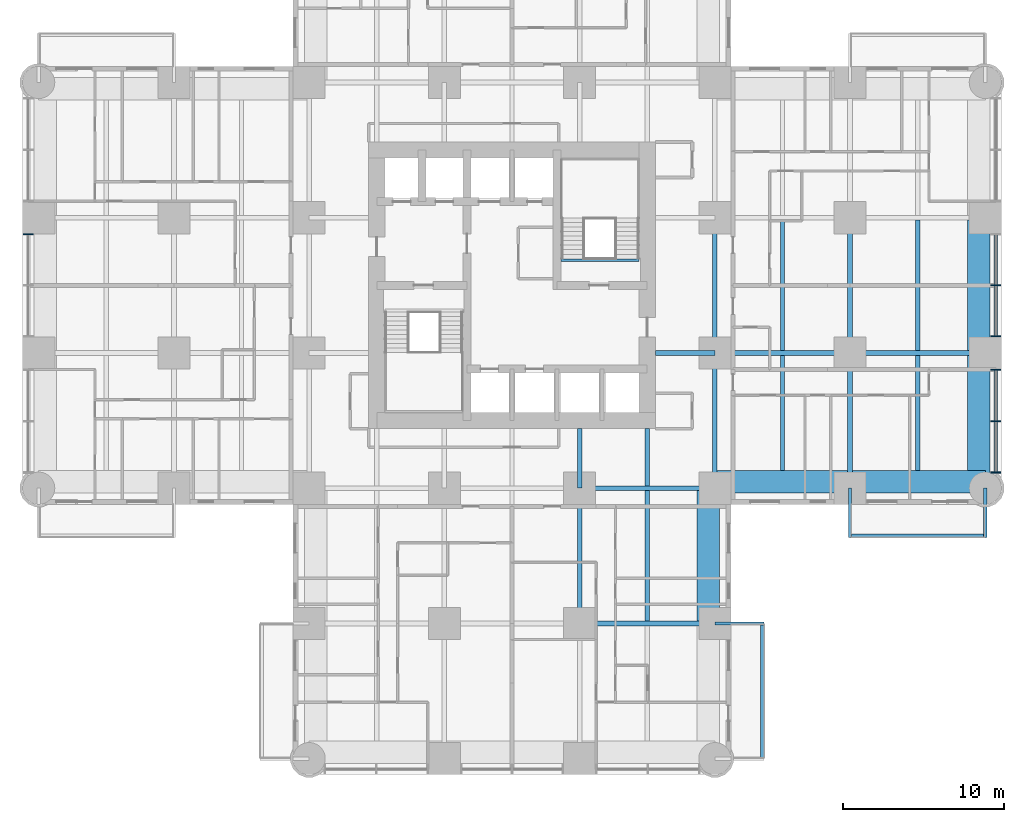
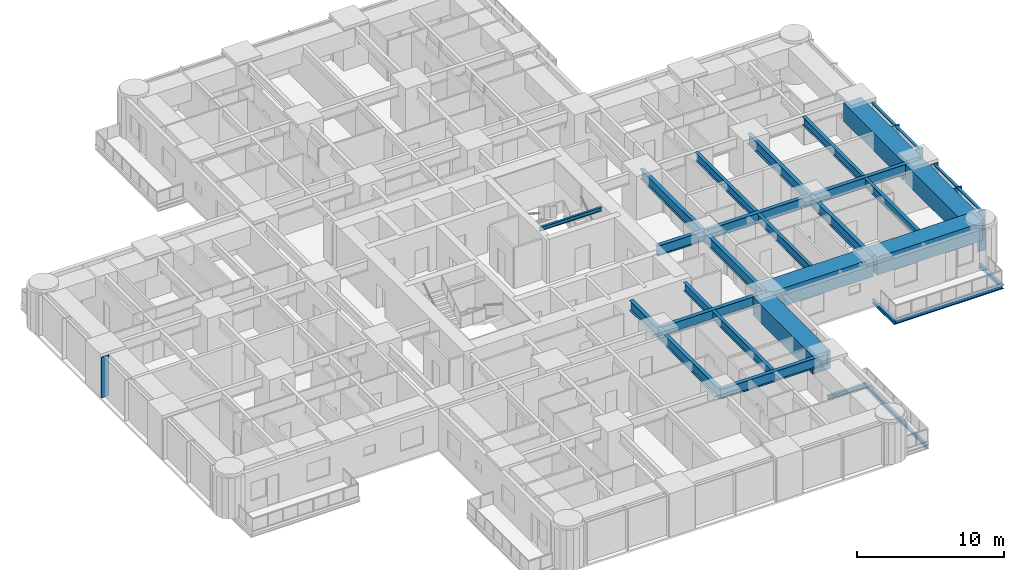
# One storey, part 3 of 17: 28 beams, 10 members, 2 elements without a shape of their own.
"""IFC4 building model written with IfcOpenShell, lengths in metres."""

from ifc_helpers import new_model, si_unit, direction, frame, origin, origin_2d, place, context, subcontext, project, spatial, rectangle, i_section, extrude, material, material_profile, profile_set, type_object, element, aggregate, save


model = new_model("IFC4")

# Units and contexts
model_context = context("Model", 3, precision=1e-05, world=origin(), true_north=direction((0.0, 1.0)))
body_context = subcontext(model_context, "Body", "Model", "MODEL_VIEW")
ifc_project = project(units=[si_unit("LENGTHUNIT", "METRE"), si_unit("AREAUNIT", "SQUARE_METRE"), si_unit("VOLUMEUNIT", "CUBIC_METRE"), si_unit("PLANEANGLEUNIT", "RADIAN"), si_unit("MASSUNIT", "GRAM", prefix="KILO")], contexts=[model_context])

# Site, building, storey
site_placement = place(None, origin())
site = spatial("IfcSite", under=ifc_project, at=site_placement, CompositionType="ELEMENT")
building_placement = place(site_placement, origin())
building = spatial("IfcBuilding", under=site, at=building_placement, Name="Torre Alcanfor", CompositionType="ELEMENT")
storey_placement = place(building_placement, frame((0.0, 0.0, 99.300048828125)))
storey = spatial("IfcBuildingStorey", under=building, at=storey_placement, Name="L25", CompositionType="ELEMENT", Elevation=99.300048828125)

# Beams
ifc_material_1 = material(Name="Steel ASTM A992 Grade 50", Category="steel")
ifc_material_profile_1 = material_profile(ifc_material_1, i_section(OverallWidth=0.205322265625, OverallDepth=0.309814453125, WebThickness=0.00927734375, FlangeThickness=0.016357421875, at=origin_2d()), Name="W12x50")
ifc_profile_set_1 = profile_set([ifc_material_profile_1], Name="Steel ASTM A992 Grade 50")
beam_type_1 = type_object("IfcBeamType", Name="Balcony cantilever beam W12x50", PredefinedType="BEAM", material=ifc_profile_set_1)
for number, where, z_axis, x_axis, name in (
    (1, (50.39990234375, 16.800048828125, -0.35498046875), (0.0, -1.0, 0.0), (1.0, 0.0, 0.0), "Balcony cantilever beam L25-E2 1"),
    (2, (58.800048828125, 16.800048828125, -0.35498046875), (0.0, -1.0, 0.0), (1.0, 0.0, 0.0), "Balcony cantilever beam L25-E2 2"),
    (3, (42.0, 8.39990234375, -0.35498046875), (1.0, 0.0, 0.0), (0.0, 1.0, 0.0), "Balcony cantilever beam L25-S1 1"),
):
    element("IfcBeam", number, at=place(storey_placement, frame(where, z_axis=z_axis, x_axis=x_axis)), inside=storey, type_object=beam_type_1, Name=name, PredefinedType="BEAM", context=body_context, shape_type="SweptSolid", body=[
        extrude(i_section(OverallWidth=0.205322265625, OverallDepth=0.309814453125, WebThickness=0.00927734375, FlangeThickness=0.016357421875, at=origin_2d()), origin(), (0.0, 0.0, 1.0), 3.050048828125),
    ])
ifc_material_2 = material(Name="Steel ASTM A992 Grade 50", Category="steel")
ifc_material_profile_2 = material_profile(ifc_material_2, i_section(OverallWidth=0.203369140625, OverallDepth=0.30224609375, WebThickness=0.007568359375, FlangeThickness=0.01318359375, at=origin_2d()), Name="W12x40")
ifc_profile_set_2 = profile_set([ifc_material_profile_2], Name="Steel ASTM A992 Grade 50")
beam_type_2 = type_object("IfcBeamType", Name="Balcony edge trimmer W12x40", PredefinedType="BEAM", material=ifc_profile_set_2)
beam_1_placement = place(storey_placement, frame((50.39990234375, 13.851806640625, -0.35107421875), z_axis=(1.0, 0.0, 0.0), x_axis=(0.0, 1.0, 0.0)))
element("IfcBeam", 4, at=beam_1_placement, inside=storey, type_object=beam_type_2, Name="Balcony edge trimmer L25-E2", PredefinedType="BEAM", context=body_context, shape_type="SweptSolid", body=[
    extrude(i_section(OverallWidth=0.203369140625, OverallDepth=0.30224609375, WebThickness=0.007568359375, FlangeThickness=0.01318359375, at=origin_2d()), origin(), (0.0, 0.0, 1.0), 8.400146484375),
])
beam_2_placement = place(storey_placement, frame((44.9482421875, 8.39990234375, -0.35107421875), z_axis=(0.0, -1.0, 0.0), x_axis=(1.0, 0.0, 0.0)))
element("IfcBeam", 5, at=beam_2_placement, inside=storey, type_object=beam_type_2, Name="Balcony edge trimmer L25-S1", PredefinedType="BEAM", context=body_context, shape_type="SweptSolid", body=[
    extrude(i_section(OverallWidth=0.203369140625, OverallDepth=0.30224609375, WebThickness=0.007568359375, FlangeThickness=0.01318359375, at=origin_2d()), origin(), (0.0, 0.0, 1.0), 8.39990234375),
])

# Curtain wall, member
ifc_material_3 = material(Name="Aluminium and glass", Category="aluminium")
curtain_wall_type = type_object("IfcCurtainWallType", Name="CW-A unitised apartment glazing with vertical FIN", PredefinedType="NOTDEFINED", material=ifc_material_3)
curtain_wall_1_placement = place(storey_placement, origin())
curtain_wall_1 = element("IfcCurtainWall", 6, at=curtain_wall_1_placement, inside=storey, type_object=curtain_wall_type, Name="Curtain wall CW-A L25 2", PredefinedType="NOTDEFINED")
ifc_material_4 = material(Name="Bronze anodised aluminium", Category="aluminium")
ifc_material_profile_3 = material_profile(ifc_material_4, rectangle(XDim=0.60009765625, YDim=0.06494140625, at=origin_2d()), Name="CW-A mullion 65x600")
ifc_profile_set_3 = profile_set([ifc_material_profile_3], Name="Bronze anodised aluminium")
member_type_1 = type_object("IfcMemberType", Name="CW-A mullion with vertical FIN 65x600", PredefinedType="MULLION", material=ifc_profile_set_3)
member_1_placement = place(storey_placement, frame((-0.64990234375, 32.5625, 0.0), z_axis=(0.0, 0.0, 1.0), x_axis=(1.0, 0.0, 0.0)))
member_1 = element("IfcMember", 7, at=member_1_placement, type_object=member_type_1, Name="CW-A mullion 2.1", PredefinedType="MULLION", context=body_context, shape_type="SweptSolid", body=[
    extrude(rectangle(XDim=0.60009765625, YDim=0.06494140625, at=origin_2d()), origin(), (0.0, 0.0, 1.0), 3.349853515625),
])
aggregate(curtain_wall_1, [member_1])

# Curtain wall, members
curtain_wall_2_placement = place(storey_placement, origin())
curtain_wall_2 = element("IfcCurtainWall", 8, at=curtain_wall_2_placement, inside=storey, type_object=curtain_wall_type, Name="Curtain wall CW-A L25 8", PredefinedType="NOTDEFINED")
member_2_placement = place(storey_placement, frame((59.449951171875, 17.7744140625, 0.0), z_axis=(0.0, 0.0, 1.0), x_axis=(-1.0, 0.0, 0.0)))
member_2 = element("IfcMember", 9, at=member_2_placement, type_object=member_type_1, Name="CW-A mullion 1.1", PredefinedType="MULLION", context=body_context, shape_type="SweptSolid", body=[
    extrude(rectangle(XDim=0.60009765625, YDim=0.06494140625, at=origin_2d()), origin(), (0.0, 0.0, 1.0), 3.349853515625),
])
member_3_placement = place(storey_placement, frame((59.449951171875, 20.968505859375, 0.0), z_axis=(0.0, 0.0, 1.0), x_axis=(-1.0, 0.0, 0.0)))
member_3 = element("IfcMember", 10, at=member_3_placement, type_object=member_type_1, Name="CW-A mullion 1.2", PredefinedType="MULLION", context=body_context, shape_type="SweptSolid", body=[
    extrude(rectangle(XDim=0.60009765625, YDim=0.06494140625, at=origin_2d()), origin(), (0.0, 0.0, 1.0), 3.349853515625),
])
member_4_placement = place(storey_placement, frame((59.449951171875, 24.16259765625, 0.0), z_axis=(0.0, 0.0, 1.0), x_axis=(-1.0, 0.0, 0.0)))
member_4 = element("IfcMember", 11, at=member_4_placement, type_object=member_type_1, Name="CW-A mullion 1.3", PredefinedType="MULLION", context=body_context, shape_type="SweptSolid", body=[
    extrude(rectangle(XDim=0.60009765625, YDim=0.06494140625, at=origin_2d()), origin(), (0.0, 0.0, 1.0), 3.349853515625),
])
member_5_placement = place(storey_placement, frame((59.449951171875, 26.237548828125, 0.0), z_axis=(0.0, 0.0, 1.0), x_axis=(-1.0, 0.0, 0.0)))
member_5 = element("IfcMember", 12, at=member_5_placement, type_object=member_type_1, Name="CW-A mullion 2.1", PredefinedType="MULLION", context=body_context, shape_type="SweptSolid", body=[
    extrude(rectangle(XDim=0.60009765625, YDim=0.06494140625, at=origin_2d()), origin(), (0.0, 0.0, 1.0), 3.349853515625),
])
member_6_placement = place(storey_placement, frame((59.449951171875, 29.39990234375, 0.0), z_axis=(0.0, 0.0, 1.0), x_axis=(-1.0, 0.0, 0.0)))
member_6 = element("IfcMember", 13, at=member_6_placement, type_object=member_type_1, Name="CW-A mullion 2.2", PredefinedType="MULLION", context=body_context, shape_type="SweptSolid", body=[
    extrude(rectangle(XDim=0.60009765625, YDim=0.06494140625, at=origin_2d()), origin(), (0.0, 0.0, 1.0), 3.349853515625),
])
ifc_material_5 = material(Name="Extruded aluminium", Category="aluminium")
ifc_material_profile_4 = material_profile(ifc_material_5, rectangle(XDim=0.199951171875, YDim=0.06494140625, at=origin_2d()), Name="CW-A transom 200x65")
ifc_profile_set_4 = profile_set([ifc_material_profile_4], Name="Extruded aluminium")
member_type_2 = type_object("IfcMemberType", Name="CW-A transom 65x200", PredefinedType="USERDEFINED", material=ifc_profile_set_4)
member_7_placement = place(storey_placement, frame((59.449951171875, 17.806884765625, 3.3173828125), z_axis=(0.0, 1.0, 0.0), x_axis=(-1.0, 0.0, 0.0)))
member_7 = element("IfcMember", 14, at=member_7_placement, type_object=member_type_2, Name="CW-A transom 1.1.2", ObjectType="TRANSOM", PredefinedType="USERDEFINED", context=body_context, shape_type="SweptSolid", body=[
    extrude(rectangle(XDim=0.199951171875, YDim=0.06494140625, at=origin_2d()), origin(), (0.0, 0.0, 1.0), 3.129150390625),
])
member_8_placement = place(storey_placement, frame((59.449951171875, 21.0009765625, 3.3173828125), z_axis=(0.0, 1.0, 0.0), x_axis=(-1.0, 0.0, 0.0)))
member_8 = element("IfcMember", 15, at=member_8_placement, type_object=member_type_2, Name="CW-A transom 1.2.2", ObjectType="TRANSOM", PredefinedType="USERDEFINED", context=body_context, shape_type="SweptSolid", body=[
    extrude(rectangle(XDim=0.199951171875, YDim=0.06494140625, at=origin_2d()), origin(), (0.0, 0.0, 1.0), 3.12890625),
])
member_9_placement = place(storey_placement, frame((59.449951171875, 26.27001953125, 3.3173828125), z_axis=(0.0, 1.0, 0.0), x_axis=(-1.0, 0.0, 0.0)))
member_9 = element("IfcMember", 16, at=member_9_placement, type_object=member_type_2, Name="CW-A transom 2.1.2", ObjectType="TRANSOM", PredefinedType="USERDEFINED", context=body_context, shape_type="SweptSolid", body=[
    extrude(rectangle(XDim=0.199951171875, YDim=0.06494140625, at=origin_2d()), origin(), (0.0, 0.0, 1.0), 3.097412109375),
])
member_10_placement = place(storey_placement, frame((59.449951171875, 29.4326171875, 3.3173828125), z_axis=(0.0, 1.0, 0.0), x_axis=(-1.0, 0.0, 0.0)))
member_10 = element("IfcMember", 17, at=member_10_placement, type_object=member_type_2, Name="CW-A transom 2.2.2", ObjectType="TRANSOM", PredefinedType="USERDEFINED", context=body_context, shape_type="SweptSolid", body=[
    extrude(rectangle(XDim=0.199951171875, YDim=0.06494140625, at=origin_2d()), origin(), (0.0, 0.0, 1.0), 3.097412109375),
])
aggregate(curtain_wall_2, [member_2, member_3, member_4, member_7, member_8, member_5, member_6, member_9, member_10])

# Beams
ifc_material_6 = material(Name="Steel ASTM A992 Grade 50", Category="steel")
ifc_material_profile_5 = material_profile(ifc_material_6, i_section(OverallWidth=0.2919921875, OverallDepth=0.8408203125, WebThickness=0.0146484375, FlangeThickness=0.021728515625, at=origin_2d()), Name="W33x130")
ifc_profile_set_5 = profile_set([ifc_material_profile_5], Name="Steel ASTM A992 Grade 50")
beam_type_3 = type_object("IfcBeamType", Name="Girder W33x130", PredefinedType="BEAM", material=ifc_profile_set_5)
for number, where, z_axis, x_axis, name in (
    (18, (33.60009765625, 8.39990234375, 2.9296875), (1.0, 0.0, 0.0), (0.0, 1.0, 0.0), "Beam 5D-6D under L26"),
    (19, (33.60009765625, 16.800048828125, 2.9296875), (1.0, 0.0, 0.0), (0.0, 1.0, 0.0), "Beam 5E-6E under L26"),
    (20, (42.0, 25.199951171875, 2.9296875), (1.0, 0.0, 0.0), (0.0, 1.0, 0.0), "Beam 6F-7F under L26"),
):
    element("IfcBeam", number, at=place(storey_placement, frame(where, z_axis=z_axis, x_axis=x_axis)), inside=storey, type_object=beam_type_3, Name=name, PredefinedType="BEAM", context=body_context, shape_type="SweptSolid", body=[
        extrude(i_section(OverallWidth=0.2919921875, OverallDepth=0.8408203125, WebThickness=0.0146484375, FlangeThickness=0.021728515625, at=origin_2d()), origin(), (0.0, 0.0, 1.0), 8.39990234375),
    ])
for number, where, z_axis, x_axis, name in (
    (21, (50.39990234375, 25.199951171875, 2.9296875), (1.0, 0.0, 0.0), (0.0, 1.0, 0.0), "Beam 7F-8F under L26"),
    (22, (33.60009765625, 8.39990234375, 2.9296875), (0.0, 1.0, 0.0), (-1.0, 0.0, 0.0), "Beam 5D-5E under L26"),
):
    element("IfcBeam", number, at=place(storey_placement, frame(where, z_axis=z_axis, x_axis=x_axis)), inside=storey, type_object=beam_type_3, Name=name, PredefinedType="BEAM", context=body_context, shape_type="SweptSolid", body=[
        extrude(i_section(OverallWidth=0.2919921875, OverallDepth=0.8408203125, WebThickness=0.0146484375, FlangeThickness=0.021728515625, at=origin_2d()), origin(), (0.0, 0.0, 1.0), 8.400146484375),
    ])
beam_3_placement = place(storey_placement, frame((42.0, 16.800048828125, 2.9296875), z_axis=(0.0, 1.0, 0.0), x_axis=(-1.0, 0.0, 0.0)))
element("IfcBeam", 23, at=beam_3_placement, inside=storey, type_object=beam_type_3, Name="Beam 6E-6F under L26", PredefinedType="BEAM", context=body_context, shape_type="SweptSolid", body=[
    extrude(i_section(OverallWidth=0.2919921875, OverallDepth=0.8408203125, WebThickness=0.0146484375, FlangeThickness=0.021728515625, at=origin_2d()), origin(), (0.0, 0.0, 1.0), 8.39990234375),
])
beam_4_placement = place(storey_placement, frame((42.0, 25.199951171875, 2.9296875), z_axis=(0.0, 1.0, 0.0), x_axis=(-1.0, 0.0, 0.0)))
element("IfcBeam", 24, at=beam_4_placement, inside=storey, type_object=beam_type_3, Name="Beam 6F-6G under L26", PredefinedType="BEAM", context=body_context, shape_type="SweptSolid", body=[
    extrude(i_section(OverallWidth=0.2919921875, OverallDepth=0.8408203125, WebThickness=0.0146484375, FlangeThickness=0.021728515625, at=origin_2d()), origin(), (0.0, 0.0, 1.0), 8.400146484375),
])
beam_5_placement = place(storey_placement, frame((50.39990234375, 16.800048828125, 2.9296875), z_axis=(0.0, 1.0, 0.0), x_axis=(-1.0, 0.0, 0.0)))
element("IfcBeam", 25, at=beam_5_placement, inside=storey, type_object=beam_type_3, Name="Beam 7E-7F under L26", PredefinedType="BEAM", context=body_context, shape_type="SweptSolid", body=[
    extrude(i_section(OverallWidth=0.2919921875, OverallDepth=0.8408203125, WebThickness=0.0146484375, FlangeThickness=0.021728515625, at=origin_2d()), origin(), (0.0, 0.0, 1.0), 8.39990234375),
])
beam_6_placement = place(storey_placement, frame((50.39990234375, 25.199951171875, 2.9296875), z_axis=(0.0, 1.0, 0.0), x_axis=(-1.0, 0.0, 0.0)))
element("IfcBeam", 26, at=beam_6_placement, inside=storey, type_object=beam_type_3, Name="Beam 7F-7G under L26", PredefinedType="BEAM", context=body_context, shape_type="SweptSolid", body=[
    extrude(i_section(OverallWidth=0.2919921875, OverallDepth=0.8408203125, WebThickness=0.0146484375, FlangeThickness=0.021728515625, at=origin_2d()), origin(), (0.0, 0.0, 1.0), 8.400146484375),
])
ifc_material_7 = material(Name="Steel ASTM A992 Grade 50", Category="steel")
ifc_material_profile_6 = material_profile(ifc_material_7, i_section(OverallWidth=0.2919921875, OverallDepth=0.8408203125, WebThickness=0.0146484375, FlangeThickness=0.021728515625, at=origin_2d()), Name="W33x130")
ifc_profile_set_6 = profile_set([ifc_material_profile_6], Name="Steel ASTM A992 Grade 50")
beam_type_4 = type_object("IfcBeamType", Name="Girder, part bay W33x130", PredefinedType="BEAM", material=ifc_profile_set_6)
for number, where, z_axis, x_axis, name in (
    (27, (33.60009765625, 16.800048828125, 2.9296875), (0.0, 1.0, 0.0), (-1.0, 0.0, 0.0), "Beam 5E-520_5 under L26"),
    (28, (42.0, 25.199951171875, 2.9296875), (-1.0, 0.0, 0.0), (0.0, -1.0, 0.0), "Beam 6F-38_3F under L26"),
):
    element("IfcBeam", number, at=place(storey_placement, frame(where, z_axis=z_axis, x_axis=x_axis)), inside=storey, type_object=beam_type_4, Name=name, PredefinedType="BEAM", context=body_context, shape_type="SweptSolid", body=[
        extrude(i_section(OverallWidth=0.2919921875, OverallDepth=0.8408203125, WebThickness=0.0146484375, FlangeThickness=0.021728515625, at=origin_2d()), origin(), (0.0, 0.0, 1.0), 3.699951171875),
    ])
ifc_material_8 = material(Name="Concrete f'c 70 MPa", Category="concrete")
ifc_material_profile_7 = material_profile(ifc_material_8, rectangle(XDim=1.39990234375, YDim=1.5, at=origin_2d()), Name="1400x1500")
ifc_profile_set_7 = profile_set([ifc_material_profile_7], Name="Concrete f'c 70 MPa")
beam_type_5 = type_object("IfcBeamType", Name="RC perimeter beam 1400x1500", PredefinedType="BEAM", material=ifc_profile_set_7)
beam_7_placement = place(storey_placement, frame((41.85400390625, 17.199951171875, 2.599853515625), z_axis=(1.0, 0.0, 0.0), x_axis=(0.0, 1.0, 0.0)))
element("IfcBeam", 29, at=beam_7_placement, inside=storey, type_object=beam_type_5, Name="Beam 6E-7E under L26", PredefinedType="BEAM", context=body_context, shape_type="SweptSolid", body=[
    extrude(rectangle(XDim=1.39990234375, YDim=1.5, at=origin_2d()), origin(), (0.0, 0.0, 1.0), 8.39990234375),
])
beam_8_placement = place(storey_placement, frame((50.5458984375, 17.199951171875, 2.599853515625), z_axis=(1.0, 0.0, 0.0), x_axis=(0.0, 1.0, 0.0)))
element("IfcBeam", 30, at=beam_8_placement, inside=storey, type_object=beam_type_5, Name="Beam 7E-8E under L26", PredefinedType="BEAM", context=body_context, shape_type="SweptSolid", body=[
    extrude(rectangle(XDim=1.39990234375, YDim=1.5, at=origin_2d()), origin(), (0.0, 0.0, 1.0), 8.254150390625),
])
beam_9_placement = place(storey_placement, frame((41.60009765625, 8.5458984375, 2.599853515625), z_axis=(0.0, 1.0, 0.0), x_axis=(-1.0, 0.0, 0.0)))
element("IfcBeam", 31, at=beam_9_placement, inside=storey, type_object=beam_type_5, Name="Beam 6D-6E under L26", PredefinedType="BEAM", context=body_context, shape_type="SweptSolid", body=[
    extrude(rectangle(XDim=1.39990234375, YDim=1.5, at=origin_2d()), origin(), (0.0, 0.0, 1.0), 8.108154296875),
])
beam_10_placement = place(storey_placement, frame((58.39990234375, 16.800048828125, 2.599853515625), z_axis=(0.0, 1.0, 0.0), x_axis=(-1.0, 0.0, 0.0)))
element("IfcBeam", 32, at=beam_10_placement, inside=storey, type_object=beam_type_5, Name="Beam 8E-8F under L26", PredefinedType="BEAM", context=body_context, shape_type="SweptSolid", body=[
    extrude(rectangle(XDim=1.39990234375, YDim=1.5, at=origin_2d()), origin(), (0.0, 0.0, 1.0), 8.25390625),
])
beam_11_placement = place(storey_placement, frame((58.39990234375, 25.345947265625, 2.599853515625), z_axis=(0.0, 1.0, 0.0), x_axis=(-1.0, 0.0, 0.0)))
element("IfcBeam", 33, at=beam_11_placement, inside=storey, type_object=beam_type_5, Name="Beam 8F-8G under L26", PredefinedType="BEAM", context=body_context, shape_type="SweptSolid", body=[
    extrude(rectangle(XDim=1.39990234375, YDim=1.5, at=origin_2d()), origin(), (0.0, 0.0, 1.0), 8.108154296875),
])
ifc_material_9 = material(Name="Steel ASTM A992 Grade 50", Category="steel")
ifc_material_profile_8 = material_profile(ifc_material_9, i_section(OverallWidth=0.25390625, OverallDepth=0.683349609375, WebThickness=0.012451171875, FlangeThickness=0.01904296875, at=origin_2d()), Name="W27x94")
ifc_profile_set_8 = profile_set([ifc_material_profile_8], Name="Steel ASTM A992 Grade 50")
beam_type_6 = type_object("IfcBeamType", Name="Secondary beam W27x94", PredefinedType="BEAM", material=ifc_profile_set_8)
beam_12_placement = place(storey_placement, frame((37.800048828125, 8.5458984375, 3.00830078125), z_axis=(0.0, 1.0, 0.0), x_axis=(-1.0, 0.0, 0.0)))
element("IfcBeam", 34, at=beam_12_placement, inside=storey, type_object=beam_type_6, Name="Beam 37_8D-37_8E under L26", PredefinedType="BEAM", context=body_context, shape_type="SweptSolid", body=[
    extrude(i_section(OverallWidth=0.25390625, OverallDepth=0.683349609375, WebThickness=0.012451171875, FlangeThickness=0.01904296875, at=origin_2d()), origin(), (0.0, 0.0, 1.0), 8.108154296875),
])
beam_13_placement = place(storey_placement, frame((46.199951171875, 17.89990234375, 3.00830078125), z_axis=(0.0, 1.0, 0.0), x_axis=(-1.0, 0.0, 0.0)))
element("IfcBeam", 35, at=beam_13_placement, inside=storey, type_object=beam_type_6, Name="Beam 46_2E-46_2F under L26", PredefinedType="BEAM", context=body_context, shape_type="SweptSolid", body=[
    extrude(i_section(OverallWidth=0.25390625, OverallDepth=0.683349609375, WebThickness=0.012451171875, FlangeThickness=0.01904296875, at=origin_2d()), origin(), (0.0, 0.0, 1.0), 7.154052734375),
])
beam_14_placement = place(storey_placement, frame((46.199951171875, 25.345947265625, 3.00830078125), z_axis=(0.0, 1.0, 0.0), x_axis=(-1.0, 0.0, 0.0)))
element("IfcBeam", 36, at=beam_14_placement, inside=storey, type_object=beam_type_6, Name="Beam 46_2F-46_2G under L26", PredefinedType="BEAM", context=body_context, shape_type="SweptSolid", body=[
    extrude(i_section(OverallWidth=0.25390625, OverallDepth=0.683349609375, WebThickness=0.012451171875, FlangeThickness=0.01904296875, at=origin_2d()), origin(), (0.0, 0.0, 1.0), 8.108154296875),
])
beam_15_placement = place(storey_placement, frame((54.60009765625, 17.89990234375, 3.00830078125), z_axis=(0.0, 1.0, 0.0), x_axis=(-1.0, 0.0, 0.0)))
element("IfcBeam", 37, at=beam_15_placement, inside=storey, type_object=beam_type_6, Name="Beam 54_6E-54_6F under L26", PredefinedType="BEAM", context=body_context, shape_type="SweptSolid", body=[
    extrude(i_section(OverallWidth=0.25390625, OverallDepth=0.683349609375, WebThickness=0.012451171875, FlangeThickness=0.01904296875, at=origin_2d()), origin(), (0.0, 0.0, 1.0), 7.154052734375),
])
beam_16_placement = place(storey_placement, frame((54.60009765625, 25.345947265625, 3.00830078125), z_axis=(0.0, 1.0, 0.0), x_axis=(-1.0, 0.0, 0.0)))
element("IfcBeam", 38, at=beam_16_placement, inside=storey, type_object=beam_type_6, Name="Beam 54_6F-54_6G under L26", PredefinedType="BEAM", context=body_context, shape_type="SweptSolid", body=[
    extrude(i_section(OverallWidth=0.25390625, OverallDepth=0.683349609375, WebThickness=0.012451171875, FlangeThickness=0.01904296875, at=origin_2d()), origin(), (0.0, 0.0, 1.0), 8.108154296875),
])
ifc_material_10 = material(Name="Steel ASTM A992 Grade 50", Category="steel")
ifc_material_profile_9 = material_profile(ifc_material_10, i_section(OverallWidth=0.25390625, OverallDepth=0.683349609375, WebThickness=0.012451171875, FlangeThickness=0.01904296875, at=origin_2d()), Name="W27x94")
ifc_profile_set_9 = profile_set([ifc_material_profile_9], Name="Steel ASTM A992 Grade 50")
beam_type_7 = type_object("IfcBeamType", Name="Secondary beam, part bay W27x94", PredefinedType="BEAM", material=ifc_profile_set_9)
beam_17_placement = place(storey_placement, frame((37.800048828125, 16.946044921875, 3.00830078125), z_axis=(0.0, 1.0, 0.0), x_axis=(-1.0, 0.0, 0.0)))
element("IfcBeam", 39, at=beam_17_placement, inside=storey, type_object=beam_type_7, Name="Beam 37_8E-37_820_5 under L26", PredefinedType="BEAM", context=body_context, shape_type="SweptSolid", body=[
    extrude(i_section(OverallWidth=0.25390625, OverallDepth=0.683349609375, WebThickness=0.012451171875, FlangeThickness=0.01904296875, at=origin_2d()), origin(), (0.0, 0.0, 1.0), 3.553955078125),
])
ifc_material_11 = material(Name="Steel ASTM A992 Grade 50", Category="steel")
ifc_material_profile_10 = material_profile(ifc_material_11, i_section(OverallWidth=0.164794921875, OverallDepth=0.309814453125, WebThickness=0.005859375, FlangeThickness=0.009765625, at=origin_2d()), Name="W12x26")
ifc_profile_set_10 = profile_set([ifc_material_profile_10], Name="Steel ASTM A992 Grade 50")
beam_type_8 = type_object("IfcBeamType", Name="Stair landing beam W12x26", PredefinedType="BEAM", material=ifc_profile_set_10)
beam_18_placement = place(storey_placement, frame((32.449951171875, 30.962646484375, 3.2451171875), z_axis=(1.0, 0.0, 0.0), x_axis=(0.0, 1.0, 0.0)))
element("IfcBeam", 40, at=beam_18_placement, inside=storey, type_object=beam_type_8, Name="Landing trimmer S2 L26", PredefinedType="BEAM", context=body_context, shape_type="SweptSolid", body=[
    extrude(i_section(OverallWidth=0.164794921875, OverallDepth=0.309814453125, WebThickness=0.005859375, FlangeThickness=0.009765625, at=origin_2d()), origin(), (0.0, 0.0, 1.0), 4.85009765625),
])

save(model, "model.ifc")
